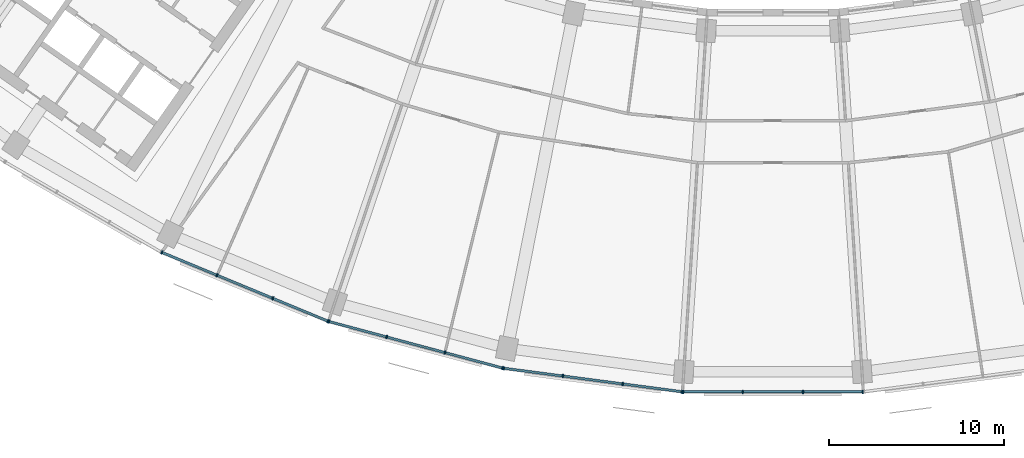
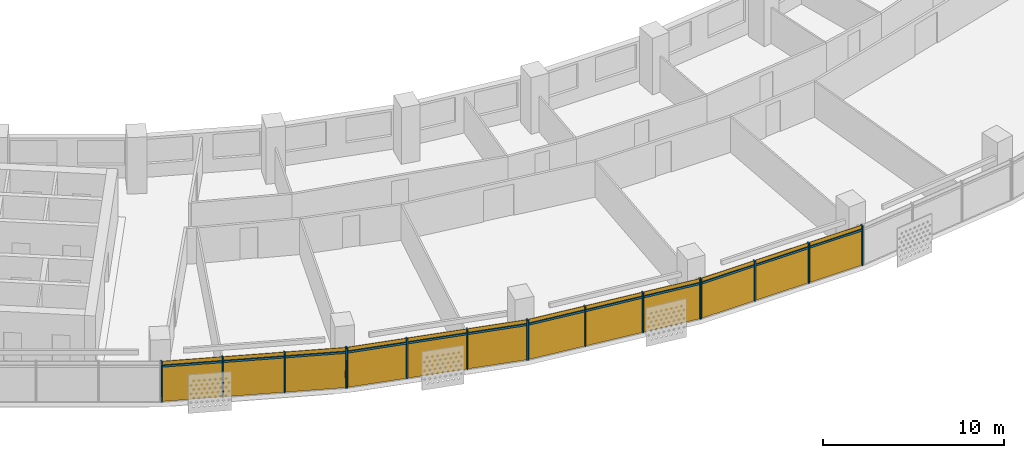
# One storey, part 18 of 26: 28 members, 4 curtain walls.
"""IFC4 building model written with IfcOpenShell, lengths in metres."""

from ifc_helpers import new_model, si_unit, direction, frame, origin, origin_2d, place, context, subcontext, project, spatial, rectangle, extrude, material, material_profile, profile_set, type_object, element, aggregate, save


model = new_model("IFC4")

# Units and contexts
model_context = context("Model", 3, precision=1e-05, world=origin(), true_north=direction((0.0, 1.0)))
body_context = subcontext(model_context, "Body", "Model", "MODEL_VIEW")
ifc_project = project(units=[si_unit("LENGTHUNIT", "METRE"), si_unit("AREAUNIT", "SQUARE_METRE"), si_unit("VOLUMEUNIT", "CUBIC_METRE"), si_unit("PLANEANGLEUNIT", "RADIAN"), si_unit("MASSUNIT", "GRAM", prefix="KILO")], contexts=[model_context])

# Member
ifc_material = material(Name="Aluminium 6063-T6 anodised", Category="aluminium")
ifc_material_profile_1 = material_profile(ifc_material, rectangle(XDim=0.199951171875, YDim=0.070068359375, at=origin_2d()))
ifc_profile_set_1 = profile_set([ifc_material_profile_1], Name="Aluminium 6063-T6 anodised")
member_type_1 = type_object("IfcMemberType", Name="Mullion 70 x 200 aluminium", PredefinedType="MULLION", material=ifc_profile_set_1)
site_placement = place(None, origin())
building_placement = place(site_placement, origin())
storey_placement = place(building_placement, frame((0.0, 0.0, 160.699951171875)))
member_1_placement = place(storey_placement, frame((-34.8701171875, -70.77392578125, 0.0), z_axis=(0.0, 0.0, 1.0), x_axis=(0.382683432365, 0.923879532511, 0.0)))
member_1 = element("IfcMember", 1, at=member_1_placement, type_object=member_type_1, Name="e-cw1-L37-out04/M00", PredefinedType="MULLION", context=body_context, shape_type="SweptSolid", body=[
    extrude(rectangle(XDim=0.199951171875, YDim=0.070068359375, at=origin_2d()), origin(), (0.0, 0.0, 1.0), 2.699951171875),
])

member_2_placement = place(storey_placement, frame((-31.72021484375, -72.078857421875, 0.0), z_axis=(0.0, 0.0, 1.0), x_axis=(0.382683432365, 0.923879532511, 0.0)))
member_2 = element("IfcMember", 2, at=member_2_placement, type_object=member_type_1, Name="e-cw1-L37-out04/M01", PredefinedType="MULLION", context=body_context, shape_type="SweptSolid", body=[
    extrude(rectangle(XDim=0.199951171875, YDim=0.070068359375, at=origin_2d()), origin(), (0.0, 0.0, 1.0), 2.699951171875),
])

member_3_placement = place(storey_placement, frame((-28.537841796875, -73.39697265625, 0.0), z_axis=(0.0, 0.0, 1.0), x_axis=(0.382683432365, 0.923879532511, 0.0)))
member_3 = element("IfcMember", 3, at=member_3_placement, type_object=member_type_1, Name="e-cw1-L37-out04/M02", PredefinedType="MULLION", context=body_context, shape_type="SweptSolid", body=[
    extrude(rectangle(XDim=0.199951171875, YDim=0.070068359375, at=origin_2d()), origin(), (0.0, 0.0, 1.0), 2.699951171875),
])

member_4_placement = place(storey_placement, frame((-25.3876953125, -74.70166015625, 0.0), z_axis=(0.0, 0.0, 1.0), x_axis=(0.382683432365, 0.923879532511, 0.0)))
member_4 = element("IfcMember", 4, at=member_4_placement, type_object=member_type_1, Name="e-cw1-L37-out04/M03", PredefinedType="MULLION", context=body_context, shape_type="SweptSolid", body=[
    extrude(rectangle(XDim=0.199951171875, YDim=0.070068359375, at=origin_2d()), origin(), (0.0, 0.0, 1.0), 2.699951171875),
])

member_5_placement = place(storey_placement, frame((-25.333984375, -74.719970703125, 0.0), z_axis=(0.0, 0.0, 1.0), x_axis=(0.258819045103, 0.965925826289, 0.0)))
member_5 = element("IfcMember", 5, at=member_5_placement, type_object=member_type_1, Name="e-cw1-L37-out05/M00", PredefinedType="MULLION", context=body_context, shape_type="SweptSolid", body=[
    extrude(rectangle(XDim=0.199951171875, YDim=0.070068359375, at=origin_2d()), origin(), (0.0, 0.0, 1.0), 2.699951171875),
])

member_6_placement = place(storey_placement, frame((-22.04052734375, -75.602294921875, 0.0), z_axis=(0.0, 0.0, 1.0), x_axis=(0.258819045103, 0.965925826289, 0.0)))
member_6 = element("IfcMember", 6, at=member_6_placement, type_object=member_type_1, Name="e-cw1-L37-out05/M01", PredefinedType="MULLION", context=body_context, shape_type="SweptSolid", body=[
    extrude(rectangle(XDim=0.199951171875, YDim=0.070068359375, at=origin_2d()), origin(), (0.0, 0.0, 1.0), 2.699951171875),
])

member_7_placement = place(storey_placement, frame((-18.71337890625, -76.493896484375, 0.0), z_axis=(0.0, 0.0, 1.0), x_axis=(0.258819045103, 0.965925826289, 0.0)))
member_7 = element("IfcMember", 7, at=member_7_placement, type_object=member_type_1, Name="e-cw1-L37-out05/M02", PredefinedType="MULLION", context=body_context, shape_type="SweptSolid", body=[
    extrude(rectangle(XDim=0.199951171875, YDim=0.070068359375, at=origin_2d()), origin(), (0.0, 0.0, 1.0), 2.699951171875),
])

member_8_placement = place(storey_placement, frame((-15.420166015625, -77.37646484375, 0.0), z_axis=(0.0, 0.0, 1.0), x_axis=(0.258819045103, 0.965925826289, 0.0)))
member_8 = element("IfcMember", 8, at=member_8_placement, type_object=member_type_1, Name="e-cw1-L37-out05/M03", PredefinedType="MULLION", context=body_context, shape_type="SweptSolid", body=[
    extrude(rectangle(XDim=0.199951171875, YDim=0.070068359375, at=origin_2d()), origin(), (0.0, 0.0, 1.0), 2.699951171875),
])

member_9_placement = place(storey_placement, frame((-15.364501953125, -77.387451171875, 0.0), z_axis=(0.0, 0.0, 1.0), x_axis=(0.13052619222, 0.991444861374, 0.0)))
member_9 = element("IfcMember", 9, at=member_9_placement, type_object=member_type_1, Name="e-cw1-L37-out06/M00", PredefinedType="MULLION", context=body_context, shape_type="SweptSolid", body=[
    extrude(rectangle(XDim=0.199951171875, YDim=0.070068359375, at=origin_2d()), origin(), (0.0, 0.0, 1.0), 2.699951171875),
])

member_10_placement = place(storey_placement, frame((-11.98388671875, -77.83251953125, 0.0), z_axis=(0.0, 0.0, 1.0), x_axis=(0.13052619222, 0.991444861374, 0.0)))
member_10 = element("IfcMember", 10, at=member_10_placement, type_object=member_type_1, Name="e-cw1-L37-out06/M01", PredefinedType="MULLION", context=body_context, shape_type="SweptSolid", body=[
    extrude(rectangle(XDim=0.199951171875, YDim=0.070068359375, at=origin_2d()), origin(), (0.0, 0.0, 1.0), 2.699951171875),
])

member_11_placement = place(storey_placement, frame((-8.56884765625, -78.2822265625, 0.0), z_axis=(0.0, 0.0, 1.0), x_axis=(0.13052619222, 0.991444861374, 0.0)))
member_11 = element("IfcMember", 11, at=member_11_placement, type_object=member_type_1, Name="e-cw1-L37-out06/M02", PredefinedType="MULLION", context=body_context, shape_type="SweptSolid", body=[
    extrude(rectangle(XDim=0.199951171875, YDim=0.070068359375, at=origin_2d()), origin(), (0.0, 0.0, 1.0), 2.699951171875),
])

member_12_placement = place(storey_placement, frame((-5.1884765625, -78.72705078125, 0.0), z_axis=(0.0, 0.0, 1.0), x_axis=(0.13052619222, 0.991444861374, 0.0)))
member_12 = element("IfcMember", 12, at=member_12_placement, type_object=member_type_1, Name="e-cw1-L37-out06/M03", PredefinedType="MULLION", context=body_context, shape_type="SweptSolid", body=[
    extrude(rectangle(XDim=0.199951171875, YDim=0.070068359375, at=origin_2d()), origin(), (0.0, 0.0, 1.0), 2.699951171875),
])

member_13_placement = place(storey_placement, frame((-5.1318359375, -78.73095703125, 0.0), z_axis=(0.0, 0.0, 1.0), x_axis=(0.0, 1.0, 0.0)))
member_13 = element("IfcMember", 13, at=member_13_placement, type_object=member_type_1, Name="e-cw1-L37-out07/M00", PredefinedType="MULLION", context=body_context, shape_type="SweptSolid", body=[
    extrude(rectangle(XDim=0.199951171875, YDim=0.070068359375, at=origin_2d()), origin(), (0.0, 0.0, 1.0), 2.699951171875),
])

member_14_placement = place(storey_placement, frame((-1.72216796875, -78.73095703125, 0.0), z_axis=(0.0, 0.0, 1.0), x_axis=(0.0, 1.0, 0.0)))
member_14 = element("IfcMember", 14, at=member_14_placement, type_object=member_type_1, Name="e-cw1-L37-out07/M01", PredefinedType="MULLION", context=body_context, shape_type="SweptSolid", body=[
    extrude(rectangle(XDim=0.199951171875, YDim=0.070068359375, at=origin_2d()), origin(), (0.0, 0.0, 1.0), 2.699951171875),
])

member_15_placement = place(storey_placement, frame((1.72216796875, -78.73095703125, 0.0), z_axis=(0.0, 0.0, 1.0), x_axis=(0.0, 1.0, 0.0)))
member_15 = element("IfcMember", 15, at=member_15_placement, type_object=member_type_1, Name="e-cw1-L37-out07/M02", PredefinedType="MULLION", context=body_context, shape_type="SweptSolid", body=[
    extrude(rectangle(XDim=0.199951171875, YDim=0.070068359375, at=origin_2d()), origin(), (0.0, 0.0, 1.0), 2.699951171875),
])

member_16_placement = place(storey_placement, frame((5.1318359375, -78.73095703125, 0.0), z_axis=(0.0, 0.0, 1.0), x_axis=(0.0, 1.0, 0.0)))
member_16 = element("IfcMember", 16, at=member_16_placement, type_object=member_type_1, Name="e-cw1-L37-out07/M03", PredefinedType="MULLION", context=body_context, shape_type="SweptSolid", body=[
    extrude(rectangle(XDim=0.199951171875, YDim=0.070068359375, at=origin_2d()), origin(), (0.0, 0.0, 1.0), 2.699951171875),
])

ifc_material_profile_2 = material_profile(ifc_material, rectangle(XDim=0.139892578125, YDim=0.1201171875, at=origin_2d()))
ifc_profile_set_2 = profile_set([ifc_material_profile_2], Name="Aluminium 6063-T6 anodised")
member_type_2 = type_object("IfcMemberType", Name="Transom 120 x 140 aluminium", PredefinedType="USERDEFINED", material=ifc_profile_set_2)
member_17_placement = place(storey_placement, frame((-34.837890625, -70.787353515625, 2.400146484375), z_axis=(0.923875164544, -0.382693977401, 0.0), x_axis=(0.382693977401, 0.923875164544, 0.0)))
member_17 = element("IfcMember", 17, at=member_17_placement, type_object=member_type_2, Name="e-cw1-L37-out04/T00", ObjectType="TRANSOM", PredefinedType="USERDEFINED", context=body_context, shape_type="SweptSolid", body=[
    extrude(rectangle(XDim=0.139892578125, YDim=0.1201171875, at=origin_2d()), origin(), (0.0, 0.0, 1.0), 3.339599609375),
])

member_18_placement = place(storey_placement, frame((-31.687744140625, -72.092041015625, 2.400146484375), z_axis=(0.923866926753, -0.382713863941, 0.0), x_axis=(0.382713863941, 0.923866926753, 0.0)))
member_18 = element("IfcMember", 18, at=member_18_placement, type_object=member_type_2, Name="e-cw1-L37-out04/T01", ObjectType="TRANSOM", PredefinedType="USERDEFINED", context=body_context, shape_type="SweptSolid", body=[
    extrude(rectangle(XDim=0.139892578125, YDim=0.1201171875, at=origin_2d()), origin(), (0.0, 0.0, 1.0), 3.37451171875),
])

member_19_placement = place(storey_placement, frame((-28.50537109375, -73.410400390625, 2.400146484375), z_axis=(0.923890305385, -0.382657423311, 0.0), x_axis=(0.382657423311, 0.923890305385, 0.0)))
member_19 = element("IfcMember", 19, at=member_19_placement, type_object=member_type_2, Name="e-cw1-L37-out04/T02", ObjectType="TRANSOM", PredefinedType="USERDEFINED", context=body_context, shape_type="SweptSolid", body=[
    extrude(rectangle(XDim=0.139892578125, YDim=0.1201171875, at=origin_2d()), origin(), (0.0, 0.0, 1.0), 3.33935546875),
])

member_20_placement = place(storey_placement, frame((-25.30029296875, -74.72900390625, 2.400146484375), z_axis=(0.965933368091, -0.258790897074, 0.0), x_axis=(0.258790897074, 0.965933368091, 0.0)))
member_20 = element("IfcMember", 20, at=member_20_placement, type_object=member_type_2, Name="e-cw1-L37-out05/T00", ObjectType="TRANSOM", PredefinedType="USERDEFINED", context=body_context, shape_type="SweptSolid", body=[
    extrude(rectangle(XDim=0.139892578125, YDim=0.1201171875, at=origin_2d()), origin(), (0.0, 0.0, 1.0), 3.339599609375),
])

member_21_placement = place(storey_placement, frame((-22.0068359375, -75.611572265625, 2.400146484375), z_axis=(0.965932873966, -0.258792741381, 0.0), x_axis=(0.258792741381, 0.965932873966, 0.0)))
member_21 = element("IfcMember", 21, at=member_21_placement, type_object=member_type_2, Name="e-cw1-L37-out05/T01", ObjectType="TRANSOM", PredefinedType="USERDEFINED", context=body_context, shape_type="SweptSolid", body=[
    extrude(rectangle(XDim=0.139892578125, YDim=0.1201171875, at=origin_2d()), origin(), (0.0, 0.0, 1.0), 3.37451171875),
])

member_22_placement = place(storey_placement, frame((-18.6796875, -76.5029296875, 2.400146484375), z_axis=(0.96591509168, -0.258859103886, 0.0), x_axis=(0.258859103886, 0.96591509168, 0.0)))
member_22 = element("IfcMember", 22, at=member_22_placement, type_object=member_type_2, Name="e-cw1-L37-out05/T02", ObjectType="TRANSOM", PredefinedType="USERDEFINED", context=body_context, shape_type="SweptSolid", body=[
    extrude(rectangle(XDim=0.139892578125, YDim=0.1201171875, at=origin_2d()), origin(), (0.0, 0.0, 1.0), 3.339599609375),
])

member_23_placement = place(storey_placement, frame((-15.32958984375, -77.39208984375, 2.400146484375), z_axis=(0.991448073325, -0.130501792706, 0.0), x_axis=(0.130501792706, 0.991448073325, 0.0)))
member_23 = element("IfcMember", 23, at=member_23_placement, type_object=member_type_2, Name="e-cw1-L37-out06/T00", ObjectType="TRANSOM", PredefinedType="USERDEFINED", context=body_context, shape_type="SweptSolid", body=[
    extrude(rectangle(XDim=0.139892578125, YDim=0.1201171875, at=origin_2d()), origin(), (0.0, 0.0, 1.0), 3.33935546875),
])

member_24_placement = place(storey_placement, frame((-11.94921875, -77.837158203125, 2.400146484375), z_axis=(0.991446413845, -0.130514399487, 0.0), x_axis=(0.130514399487, 0.991446413845, 0.0)))
member_24 = element("IfcMember", 24, at=member_24_placement, type_object=member_type_2, Name="e-cw1-L37-out06/T01", ObjectType="TRANSOM", PredefinedType="USERDEFINED", context=body_context, shape_type="SweptSolid", body=[
    extrude(rectangle(XDim=0.139892578125, YDim=0.1201171875, at=origin_2d()), origin(), (0.0, 0.0, 1.0), 3.37451171875),
])

member_25_placement = place(storey_placement, frame((-8.5341796875, -78.28662109375, 2.400146484375), z_axis=(0.991439857731, -0.130564193033, 0.0), x_axis=(0.130564193033, 0.991439857731, 0.0)))
member_25 = element("IfcMember", 25, at=member_25_placement, type_object=member_type_2, Name="e-cw1-L37-out06/T02", ObjectType="TRANSOM", PredefinedType="USERDEFINED", context=body_context, shape_type="SweptSolid", body=[
    extrude(rectangle(XDim=0.139892578125, YDim=0.1201171875, at=origin_2d()), origin(), (0.0, 0.0, 1.0), 3.339599609375),
])

member_26_placement = place(storey_placement, frame((-5.096923828125, -78.73095703125, 2.400146484375), z_axis=(1.0, 0.0, 0.0), x_axis=(0.0, 1.0, 0.0)))
member_26 = element("IfcMember", 26, at=member_26_placement, type_object=member_type_2, Name="e-cw1-L37-out07/T00", ObjectType="TRANSOM", PredefinedType="USERDEFINED", context=body_context, shape_type="SweptSolid", body=[
    extrude(rectangle(XDim=0.139892578125, YDim=0.1201171875, at=origin_2d()), origin(), (0.0, 0.0, 1.0), 3.339599609375),
])

member_27_placement = place(storey_placement, frame((-1.687255859375, -78.73095703125, 2.400146484375), z_axis=(1.0, 0.0, 0.0), x_axis=(0.0, 1.0, 0.0)))
member_27 = element("IfcMember", 27, at=member_27_placement, type_object=member_type_2, Name="e-cw1-L37-out07/T01", ObjectType="TRANSOM", PredefinedType="USERDEFINED", context=body_context, shape_type="SweptSolid", body=[
    extrude(rectangle(XDim=0.139892578125, YDim=0.1201171875, at=origin_2d()), origin(), (0.0, 0.0, 1.0), 3.37451171875),
])

member_28_placement = place(storey_placement, frame((1.75732421875, -78.73095703125, 2.400146484375), z_axis=(1.0, 0.0, 0.0), x_axis=(0.0, 1.0, 0.0)))
member_28 = element("IfcMember", 28, at=member_28_placement, type_object=member_type_2, Name="e-cw1-L37-out07/T02", ObjectType="TRANSOM", PredefinedType="USERDEFINED", context=body_context, shape_type="SweptSolid", body=[
    extrude(rectangle(XDim=0.139892578125, YDim=0.1201171875, at=origin_2d()), origin(), (0.0, 0.0, 1.0), 3.339599609375),
])

# Site, building, storey
site = spatial("IfcSite", under=ifc_project, at=site_placement, CompositionType="ELEMENT")
building = spatial("IfcBuilding", under=site, at=building_placement, Name="Qamariyya Broadcast Tower", CompositionType="ELEMENT")
storey = spatial("IfcBuildingStorey", under=building, at=storey_placement, Name="L37", CompositionType="ELEMENT", Elevation=160.699951171875)

# Curtain wall
curtain_wall_type = type_object("IfcCurtainWallType", Name="Unitised curtain wall, anodised aluminium", PredefinedType="NOTDEFINED", material=ifc_material)
curtain_wall_1_placement = place(storey_placement, origin())
curtain_wall_1 = element("IfcCurtainWall", 29, at=curtain_wall_1_placement, inside=storey, type_object=curtain_wall_type, Name="e-cw1-L37-out04", PredefinedType="NOTDEFINED", context=body_context, shape_type="SweptSolid", body=[
    extrude(rectangle(XDim=3.339599609375, YDim=0.031982421875, at=origin_2d()), frame((-33.295166015625, -71.42626953125, 0.0), x_axis=(0.923878040314, -0.382687034829, 0.0)), (0.0, 0.0, 1.0), 2.340087890625),
    extrude(rectangle(XDim=3.339599609375, YDim=0.031982421875, at=origin_2d()), frame((-33.295166015625, -71.42626953125, 2.4599609375), x_axis=(0.923878040314, -0.382687034829, 0.0)), (0.0, 0.0, 1.0), 0.239990234375),
    extrude(rectangle(XDim=3.37451171875, YDim=0.031982421875, at=origin_2d()), frame((-30.12890625, -72.73779296875, 0.0), x_axis=(0.923878040314, -0.382687034829, 0.0)), (0.0, 0.0, 1.0), 2.340087890625),
    extrude(rectangle(XDim=3.37451171875, YDim=0.031982421875, at=origin_2d()), frame((-30.12890625, -72.73779296875, 2.4599609375), x_axis=(0.923878040314, -0.382687034829, 0.0)), (0.0, 0.0, 1.0), 0.239990234375),
    extrude(rectangle(XDim=3.339599609375, YDim=0.031982421875, at=origin_2d()), frame((-26.962890625, -74.04931640625, 0.0), x_axis=(0.923878040314, -0.382687034829, 0.0)), (0.0, 0.0, 1.0), 2.340087890625),
    extrude(rectangle(XDim=3.339599609375, YDim=0.031982421875, at=origin_2d()), frame((-26.962890625, -74.04931640625, 2.4599609375), x_axis=(0.923878040314, -0.382687034829, 0.0)), (0.0, 0.0, 1.0), 0.239990234375),
])

aggregate(curtain_wall_1, [member_1, member_2, member_3, member_4, member_17, member_18, member_19])

curtain_wall_2_placement = place(storey_placement, origin())
curtain_wall_2 = element("IfcCurtainWall", 30, at=curtain_wall_2_placement, inside=storey, type_object=curtain_wall_type, Name="e-cw1-L37-out05", PredefinedType="NOTDEFINED", context=body_context, shape_type="SweptSolid", body=[
    extrude(rectangle(XDim=3.339599609375, YDim=0.031982421875, at=origin_2d()), frame((-23.6875, -75.1611328125, 0.0), x_axis=(0.965926433062, -0.258816780584, 0.0)), (0.0, 0.0, 1.0), 2.340087890625),
    extrude(rectangle(XDim=3.339599609375, YDim=0.031982421875, at=origin_2d()), frame((-23.6875, -75.1611328125, 2.4599609375), x_axis=(0.965926433062, -0.258816780584, 0.0)), (0.0, 0.0, 1.0), 0.239990234375),
    extrude(rectangle(XDim=3.37451171875, YDim=0.031982421875, at=origin_2d()), frame((-20.376953125, -76.04833984375, 0.0), x_axis=(0.965926433062, -0.258816780584, 0.0)), (0.0, 0.0, 1.0), 2.340087890625),
    extrude(rectangle(XDim=3.37451171875, YDim=0.031982421875, at=origin_2d()), frame((-20.376953125, -76.04833984375, 2.4599609375), x_axis=(0.965926433062, -0.258816780584, 0.0)), (0.0, 0.0, 1.0), 0.239990234375),
    extrude(rectangle(XDim=3.339599609375, YDim=0.031982421875, at=origin_2d()), frame((-17.066650390625, -76.935302734375, 0.0), x_axis=(0.965926433062, -0.258816780584, 0.0)), (0.0, 0.0, 1.0), 2.340087890625),
    extrude(rectangle(XDim=3.339599609375, YDim=0.031982421875, at=origin_2d()), frame((-17.066650390625, -76.935302734375, 2.4599609375), x_axis=(0.965926433062, -0.258816780584, 0.0)), (0.0, 0.0, 1.0), 0.239990234375),
])

aggregate(curtain_wall_2, [member_5, member_6, member_7, member_8, member_20, member_21, member_22])

curtain_wall_3_placement = place(storey_placement, origin())
curtain_wall_3 = element("IfcCurtainWall", 31, at=curtain_wall_3_placement, inside=storey, type_object=curtain_wall_type, Name="e-cw1-L37-out06", PredefinedType="NOTDEFINED", context=body_context, shape_type="SweptSolid", body=[
    extrude(rectangle(XDim=3.339599609375, YDim=0.031982421875, at=origin_2d()), frame((-13.67431640625, -77.60986328125, 0.0), x_axis=(0.991444240905, -0.130530905064, 0.0)), (0.0, 0.0, 1.0), 2.340087890625),
    extrude(rectangle(XDim=3.339599609375, YDim=0.031982421875, at=origin_2d()), frame((-13.67431640625, -77.60986328125, 2.4599609375), x_axis=(0.991444240905, -0.130530905064, 0.0)), (0.0, 0.0, 1.0), 0.239990234375),
    extrude(rectangle(XDim=3.37451171875, YDim=0.031982421875, at=origin_2d()), frame((-10.2763671875, -78.05712890625, 0.0), x_axis=(0.991444240905, -0.130530905064, 0.0)), (0.0, 0.0, 1.0), 2.340087890625),
    extrude(rectangle(XDim=3.37451171875, YDim=0.031982421875, at=origin_2d()), frame((-10.2763671875, -78.05712890625, 2.4599609375), x_axis=(0.991444240905, -0.130530905064, 0.0)), (0.0, 0.0, 1.0), 0.239990234375),
    extrude(rectangle(XDim=3.339599609375, YDim=0.031982421875, at=origin_2d()), frame((-6.878662109375, -78.504638671875, 0.0), x_axis=(0.991444240905, -0.130530905064, 0.0)), (0.0, 0.0, 1.0), 2.340087890625),
    extrude(rectangle(XDim=3.339599609375, YDim=0.031982421875, at=origin_2d()), frame((-6.878662109375, -78.504638671875, 2.4599609375), x_axis=(0.991444240905, -0.130530905064, 0.0)), (0.0, 0.0, 1.0), 0.239990234375),
])

aggregate(curtain_wall_3, [member_9, member_10, member_11, member_12, member_23, member_24, member_25])

curtain_wall_4_placement = place(storey_placement, origin())
curtain_wall_4 = element("IfcCurtainWall", 32, at=curtain_wall_4_placement, inside=storey, type_object=curtain_wall_type, Name="e-cw1-L37-out07", PredefinedType="NOTDEFINED", context=body_context, shape_type="SweptSolid", body=[
    extrude(rectangle(XDim=3.339599609375, YDim=0.031982421875, at=origin_2d()), frame((-3.427001953125, -78.73095703125, 0.0), x_axis=(1.0, 0.0, 0.0)), (0.0, 0.0, 1.0), 2.340087890625),
    extrude(rectangle(XDim=3.339599609375, YDim=0.031982421875, at=origin_2d()), frame((-3.427001953125, -78.73095703125, 2.4599609375), x_axis=(1.0, 0.0, 0.0)), (0.0, 0.0, 1.0), 0.239990234375),
    extrude(rectangle(XDim=3.37451171875, YDim=0.031982421875, at=origin_2d()), frame((0.0, -78.73095703125, 0.0), x_axis=(1.0, 0.0, 0.0)), (0.0, 0.0, 1.0), 2.340087890625),
    extrude(rectangle(XDim=3.37451171875, YDim=0.031982421875, at=origin_2d()), frame((0.0, -78.73095703125, 2.4599609375), x_axis=(1.0, 0.0, 0.0)), (0.0, 0.0, 1.0), 0.239990234375),
    extrude(rectangle(XDim=3.339599609375, YDim=0.031982421875, at=origin_2d()), frame((3.427001953125, -78.73095703125, 0.0), x_axis=(1.0, 0.0, 0.0)), (0.0, 0.0, 1.0), 2.340087890625),
    extrude(rectangle(XDim=3.339599609375, YDim=0.031982421875, at=origin_2d()), frame((3.427001953125, -78.73095703125, 2.4599609375), x_axis=(1.0, 0.0, 0.0)), (0.0, 0.0, 1.0), 0.239990234375),
])

aggregate(curtain_wall_4, [member_13, member_14, member_15, member_16, member_26, member_27, member_28])

save(model, "model.ifc")
